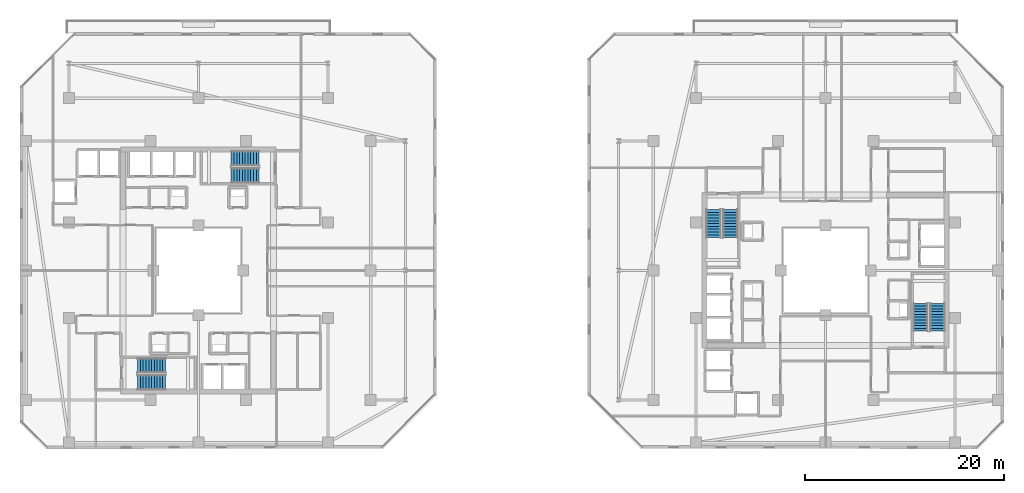
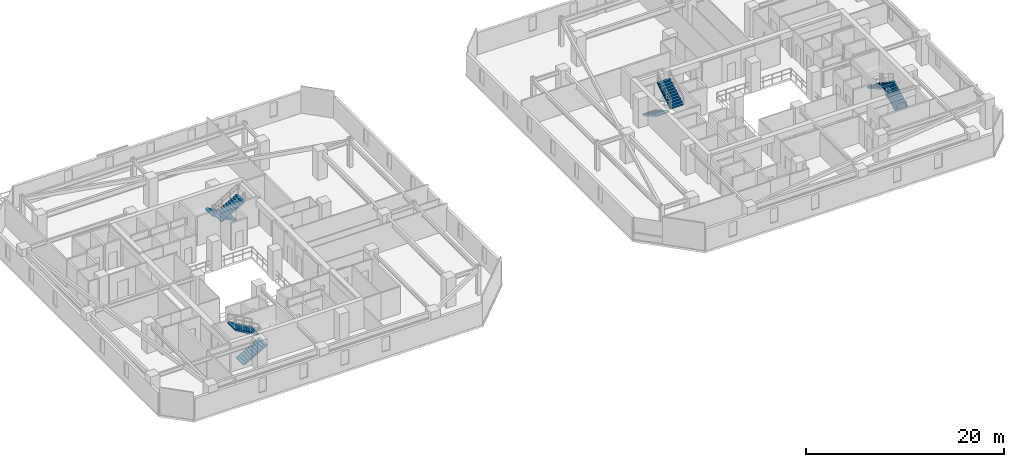
# One storey, part 27 of 33: 8 stair flights, 4 elements without a shape of their own.
"""IFC4 building model written with IfcOpenShell, lengths in metres."""

from ifc_helpers import new_model, si_unit, direction, frame, origin, place, context, subcontext, project, spatial, polyline, outline, extrude, material, type_object, element, aggregate, save


model = new_model("IFC4")

# Units and contexts
model_context = context("Model", 3, precision=1e-05, world=origin(), true_north=direction((0.0, 1.0)))
body_context = subcontext(model_context, "Body", "Model", "MODEL_VIEW")
ifc_project = project(units=[si_unit("LENGTHUNIT", "METRE"), si_unit("AREAUNIT", "SQUARE_METRE"), si_unit("VOLUMEUNIT", "CUBIC_METRE"), si_unit("PLANEANGLEUNIT", "RADIAN"), si_unit("MASSUNIT", "GRAM", prefix="KILO")], contexts=[model_context])

# Site, building, storey
site_placement = place(None, origin())
site = spatial("IfcSite", under=ifc_project, at=site_placement, CompositionType="ELEMENT")
building_placement = place(site_placement, origin())
building = spatial("IfcBuilding", under=site, at=building_placement, Name="Thornwick Lancets Civic Towers", CompositionType="ELEMENT")
storey_placement = place(building_placement, frame((0.0, 0.0, 185.699951171875)))
storey = spatial("IfcBuildingStorey", under=building, at=storey_placement, Name="L49", CompositionType="ELEMENT", Elevation=185.699951171875)

# Stair, stair flights
ifc_material = material(Name="Concrete C40/50", Category="concrete")
stair_type = type_object("IfcStairType", Name="STAIR_DL_3600", PredefinedType="HALF_TURN_STAIR", material=ifc_material)
stair_1_placement = place(storey_placement, origin())
stair_1 = element("IfcStair", 1, at=stair_1_placement, inside=storey, type_object=stair_type, Name="L49 Tower A South Exit Stair ST-A1", PredefinedType="HALF_TURN_STAIR")
stair_flight_type = type_object("IfcStairFlightType", Name="FLIGHT_3600", PredefinedType="STRAIGHT", material=ifc_material)
stair_flight_1_placement = place(storey_placement, frame((19.39990234375, 15.75, 0.0), z_axis=(0.0, 0.0, 1.0), x_axis=(1.0, 0.0, 0.0)))
stair_flight_1 = element("IfcStairFlight", 2, at=stair_flight_1_placement, type_object=stair_flight_type, Name="ST-A1 flight 1", NumberOfRisers=11, NumberOfTreads=10, PredefinedType="STRAIGHT", RiserHeight=0.163636364, TreadLength=0.28, context=body_context, shape_type="SweptSolid", body=[
    extrude(outline(polyline([(0.0, 0.0), (0.0, 0.16357421875), (0.280029296875, 0.16357421875), (0.280029296875, 0.327392578125), (0.56005859375, 0.327392578125), (0.56005859375, 0.490966796875), (0.840087890625, 0.490966796875), (0.840087890625, 0.654541015625), (1.1201171875, 0.654541015625), (1.1201171875, 0.818115234375), (1.39990234375, 0.818115234375), (1.39990234375, 0.98193359375), (1.679931640625, 0.98193359375), (1.679931640625, 1.1455078125), (1.9599609375, 1.1455078125), (1.9599609375, 1.30908203125), (2.239990234375, 1.30908203125), (2.239990234375, 1.47265625), (2.52001953125, 1.47265625), (2.52001953125, 1.636474609375), (2.800048828125, 1.636474609375), (2.800048828125, 1.800048828125), (2.800048828125, 1.462646484375), (0.297119140625, 0.0), (0.0, 0.0)])), frame((0.0, 0.75, 0.0), z_axis=(0.0, -1.0, 0.0), x_axis=(1.0, 0.0, 0.0)), (0.0, 0.0, 1.0), 1.5),
])
stair_flight_2_placement = place(storey_placement, frame((22.199951171875, 17.449951171875, 1.800048828125), z_axis=(0.0, 0.0, 1.0), x_axis=(-1.0, 0.0, 0.0)))
stair_flight_2 = element("IfcStairFlight", 3, at=stair_flight_2_placement, type_object=stair_flight_type, Name="ST-A1 flight 2", NumberOfRisers=11, NumberOfTreads=10, PredefinedType="STRAIGHT", RiserHeight=0.163636364, TreadLength=0.28, context=body_context, shape_type="SweptSolid", body=[
    extrude(outline(polyline([(0.0, 0.0), (0.0, 0.16357421875), (0.280029296875, 0.16357421875), (0.280029296875, 0.327392578125), (0.56005859375, 0.327392578125), (0.56005859375, 0.490966796875), (0.840087890625, 0.490966796875), (0.840087890625, 0.654541015625), (1.1201171875, 0.654541015625), (1.1201171875, 0.818115234375), (1.39990234375, 0.818115234375), (1.39990234375, 0.98193359375), (1.679931640625, 0.98193359375), (1.679931640625, 1.1455078125), (1.9599609375, 1.1455078125), (1.9599609375, 1.30908203125), (2.239990234375, 1.30908203125), (2.239990234375, 1.47265625), (2.52001953125, 1.47265625), (2.52001953125, 1.636474609375), (2.800048828125, 1.636474609375), (2.800048828125, 1.800048828125), (2.800048828125, 1.462646484375), (0.297119140625, 0.0), (0.0, 0.0)])), frame((0.0, 0.75, 0.0), z_axis=(0.0, -1.0, 0.0), x_axis=(1.0, 0.0, 0.0)), (0.0, 0.0, 1.0), 1.5),
])
aggregate(stair_1, [stair_flight_1, stair_flight_2])

stair_2_placement = place(storey_placement, origin())
stair_2 = element("IfcStair", 4, at=stair_2_placement, inside=storey, type_object=stair_type, Name="L49 Tower A North Exit Stair ST-A2", PredefinedType="HALF_TURN_STAIR")
stair_flight_3_placement = place(storey_placement, frame((31.60009765625, 38.25, 0.0), z_axis=(0.0, 0.0, 1.0), x_axis=(-1.0, 0.0, 0.0)))
stair_flight_3 = element("IfcStairFlight", 5, at=stair_flight_3_placement, type_object=stair_flight_type, Name="ST-A2 flight 1", NumberOfRisers=11, NumberOfTreads=10, PredefinedType="STRAIGHT", RiserHeight=0.163636364, TreadLength=0.28, context=body_context, shape_type="SweptSolid", body=[
    extrude(outline(polyline([(0.0, 0.0), (0.0, 0.16357421875), (0.280029296875, 0.16357421875), (0.280029296875, 0.327392578125), (0.56005859375, 0.327392578125), (0.56005859375, 0.490966796875), (0.840087890625, 0.490966796875), (0.840087890625, 0.654541015625), (1.1201171875, 0.654541015625), (1.1201171875, 0.818115234375), (1.39990234375, 0.818115234375), (1.39990234375, 0.98193359375), (1.679931640625, 0.98193359375), (1.679931640625, 1.1455078125), (1.9599609375, 1.1455078125), (1.9599609375, 1.30908203125), (2.239990234375, 1.30908203125), (2.239990234375, 1.47265625), (2.52001953125, 1.47265625), (2.52001953125, 1.636474609375), (2.800048828125, 1.636474609375), (2.800048828125, 1.800048828125), (2.800048828125, 1.462646484375), (0.297119140625, 0.0), (0.0, 0.0)])), frame((0.0, 0.75, 0.0), z_axis=(0.0, -1.0, 0.0), x_axis=(1.0, 0.0, 0.0)), (0.0, 0.0, 1.0), 1.5),
])
stair_flight_4_placement = place(storey_placement, frame((28.800048828125, 36.550048828125, 1.800048828125), z_axis=(0.0, 0.0, 1.0), x_axis=(1.0, 0.0, 0.0)))
stair_flight_4 = element("IfcStairFlight", 6, at=stair_flight_4_placement, type_object=stair_flight_type, Name="ST-A2 flight 2", NumberOfRisers=11, NumberOfTreads=10, PredefinedType="STRAIGHT", RiserHeight=0.163636364, TreadLength=0.28, context=body_context, shape_type="SweptSolid", body=[
    extrude(outline(polyline([(0.0, 0.0), (0.0, 0.16357421875), (0.280029296875, 0.16357421875), (0.280029296875, 0.327392578125), (0.56005859375, 0.327392578125), (0.56005859375, 0.490966796875), (0.840087890625, 0.490966796875), (0.840087890625, 0.654541015625), (1.1201171875, 0.654541015625), (1.1201171875, 0.818115234375), (1.39990234375, 0.818115234375), (1.39990234375, 0.98193359375), (1.679931640625, 0.98193359375), (1.679931640625, 1.1455078125), (1.9599609375, 1.1455078125), (1.9599609375, 1.30908203125), (2.239990234375, 1.30908203125), (2.239990234375, 1.47265625), (2.52001953125, 1.47265625), (2.52001953125, 1.636474609375), (2.800048828125, 1.636474609375), (2.800048828125, 1.800048828125), (2.800048828125, 1.462646484375), (0.297119140625, 0.0), (0.0, 0.0)])), frame((0.0, 0.75, 0.0), z_axis=(0.0, -1.0, 0.0), x_axis=(1.0, 0.0, 0.0)), (0.0, 0.0, 1.0), 1.5),
])
aggregate(stair_2, [stair_flight_3, stair_flight_4])

stair_3_placement = place(storey_placement, origin())
stair_3 = element("IfcStair", 7, at=stair_3_placement, inside=storey, type_object=stair_type, Name="L49 Tower B East Exit Stair ST-B1", PredefinedType="HALF_TURN_STAIR")
stair_flight_5_placement = place(storey_placement, frame((99.75, 20.89990234375, 0.0), z_axis=(0.0, 0.0, 1.0), x_axis=(0.0, 1.0, 0.0)))
stair_flight_5 = element("IfcStairFlight", 8, at=stair_flight_5_placement, type_object=stair_flight_type, Name="ST-B1 flight 1", NumberOfRisers=11, NumberOfTreads=10, PredefinedType="STRAIGHT", RiserHeight=0.163636364, TreadLength=0.28, context=body_context, shape_type="SweptSolid", body=[
    extrude(outline(polyline([(0.0, 0.0), (0.0, 0.16357421875), (0.280029296875, 0.16357421875), (0.280029296875, 0.327392578125), (0.56005859375, 0.327392578125), (0.56005859375, 0.490966796875), (0.840087890625, 0.490966796875), (0.840087890625, 0.654541015625), (1.1201171875, 0.654541015625), (1.1201171875, 0.818115234375), (1.39990234375, 0.818115234375), (1.39990234375, 0.98193359375), (1.679931640625, 0.98193359375), (1.679931640625, 1.1455078125), (1.9599609375, 1.1455078125), (1.9599609375, 1.30908203125), (2.239990234375, 1.30908203125), (2.239990234375, 1.47265625), (2.52001953125, 1.47265625), (2.52001953125, 1.636474609375), (2.800048828125, 1.636474609375), (2.800048828125, 1.800048828125), (2.800048828125, 1.462646484375), (0.297119140625, 0.0), (0.0, 0.0)])), frame((0.0, 0.75, 0.0), z_axis=(0.0, -1.0, 0.0), x_axis=(1.0, 0.0, 0.0)), (0.0, 0.0, 1.0), 1.5),
])
stair_flight_6_placement = place(storey_placement, frame((98.050048828125, 23.699951171875, 1.800048828125), z_axis=(0.0, 0.0, 1.0), x_axis=(0.0, -1.0, 0.0)))
stair_flight_6 = element("IfcStairFlight", 9, at=stair_flight_6_placement, type_object=stair_flight_type, Name="ST-B1 flight 2", NumberOfRisers=11, NumberOfTreads=10, PredefinedType="STRAIGHT", RiserHeight=0.163636364, TreadLength=0.28, context=body_context, shape_type="SweptSolid", body=[
    extrude(outline(polyline([(0.0, 0.0), (0.0, 0.16357421875), (0.280029296875, 0.16357421875), (0.280029296875, 0.327392578125), (0.56005859375, 0.327392578125), (0.56005859375, 0.490966796875), (0.840087890625, 0.490966796875), (0.840087890625, 0.654541015625), (1.1201171875, 0.654541015625), (1.1201171875, 0.818115234375), (1.39990234375, 0.818115234375), (1.39990234375, 0.98193359375), (1.679931640625, 0.98193359375), (1.679931640625, 1.1455078125), (1.9599609375, 1.1455078125), (1.9599609375, 1.30908203125), (2.239990234375, 1.30908203125), (2.239990234375, 1.47265625), (2.52001953125, 1.47265625), (2.52001953125, 1.636474609375), (2.800048828125, 1.636474609375), (2.800048828125, 1.800048828125), (2.800048828125, 1.462646484375), (0.297119140625, 0.0), (0.0, 0.0)])), frame((0.0, 0.75, 0.0), z_axis=(0.0, -1.0, 0.0), x_axis=(1.0, 0.0, 0.0)), (0.0, 0.0, 1.0), 1.5),
])
aggregate(stair_3, [stair_flight_5, stair_flight_6])

stair_4_placement = place(storey_placement, origin())
stair_4 = element("IfcStair", 10, at=stair_4_placement, inside=storey, type_object=stair_type, Name="L49 Tower B West Exit Stair ST-B2", PredefinedType="HALF_TURN_STAIR")
stair_flight_7_placement = place(storey_placement, frame((77.25, 33.10009765625, 0.0), z_axis=(0.0, 0.0, 1.0), x_axis=(0.0, -1.0, 0.0)))
stair_flight_7 = element("IfcStairFlight", 11, at=stair_flight_7_placement, type_object=stair_flight_type, Name="ST-B2 flight 1", NumberOfRisers=11, NumberOfTreads=10, PredefinedType="STRAIGHT", RiserHeight=0.163636364, TreadLength=0.28, context=body_context, shape_type="SweptSolid", body=[
    extrude(outline(polyline([(0.0, 0.0), (0.0, 0.16357421875), (0.280029296875, 0.16357421875), (0.280029296875, 0.327392578125), (0.56005859375, 0.327392578125), (0.56005859375, 0.490966796875), (0.840087890625, 0.490966796875), (0.840087890625, 0.654541015625), (1.1201171875, 0.654541015625), (1.1201171875, 0.818115234375), (1.39990234375, 0.818115234375), (1.39990234375, 0.98193359375), (1.679931640625, 0.98193359375), (1.679931640625, 1.1455078125), (1.9599609375, 1.1455078125), (1.9599609375, 1.30908203125), (2.239990234375, 1.30908203125), (2.239990234375, 1.47265625), (2.52001953125, 1.47265625), (2.52001953125, 1.636474609375), (2.800048828125, 1.636474609375), (2.800048828125, 1.800048828125), (2.800048828125, 1.462646484375), (0.297119140625, 0.0), (0.0, 0.0)])), frame((0.0, 0.75, 0.0), z_axis=(0.0, -1.0, 0.0), x_axis=(1.0, 0.0, 0.0)), (0.0, 0.0, 1.0), 1.5),
])
stair_flight_8_placement = place(storey_placement, frame((78.949951171875, 30.300048828125, 1.800048828125), z_axis=(0.0, 0.0, 1.0), x_axis=(0.0, 1.0, 0.0)))
stair_flight_8 = element("IfcStairFlight", 12, at=stair_flight_8_placement, type_object=stair_flight_type, Name="ST-B2 flight 2", NumberOfRisers=11, NumberOfTreads=10, PredefinedType="STRAIGHT", RiserHeight=0.163636364, TreadLength=0.28, context=body_context, shape_type="SweptSolid", body=[
    extrude(outline(polyline([(0.0, 0.0), (0.0, 0.16357421875), (0.280029296875, 0.16357421875), (0.280029296875, 0.327392578125), (0.56005859375, 0.327392578125), (0.56005859375, 0.490966796875), (0.840087890625, 0.490966796875), (0.840087890625, 0.654541015625), (1.1201171875, 0.654541015625), (1.1201171875, 0.818115234375), (1.39990234375, 0.818115234375), (1.39990234375, 0.98193359375), (1.679931640625, 0.98193359375), (1.679931640625, 1.1455078125), (1.9599609375, 1.1455078125), (1.9599609375, 1.30908203125), (2.239990234375, 1.30908203125), (2.239990234375, 1.47265625), (2.52001953125, 1.47265625), (2.52001953125, 1.636474609375), (2.800048828125, 1.636474609375), (2.800048828125, 1.800048828125), (2.800048828125, 1.462646484375), (0.297119140625, 0.0), (0.0, 0.0)])), frame((0.0, 0.75, 0.0), z_axis=(0.0, -1.0, 0.0), x_axis=(1.0, 0.0, 0.0)), (0.0, 0.0, 1.0), 1.5),
])
aggregate(stair_4, [stair_flight_7, stair_flight_8])

save(model, "model.ifc")
